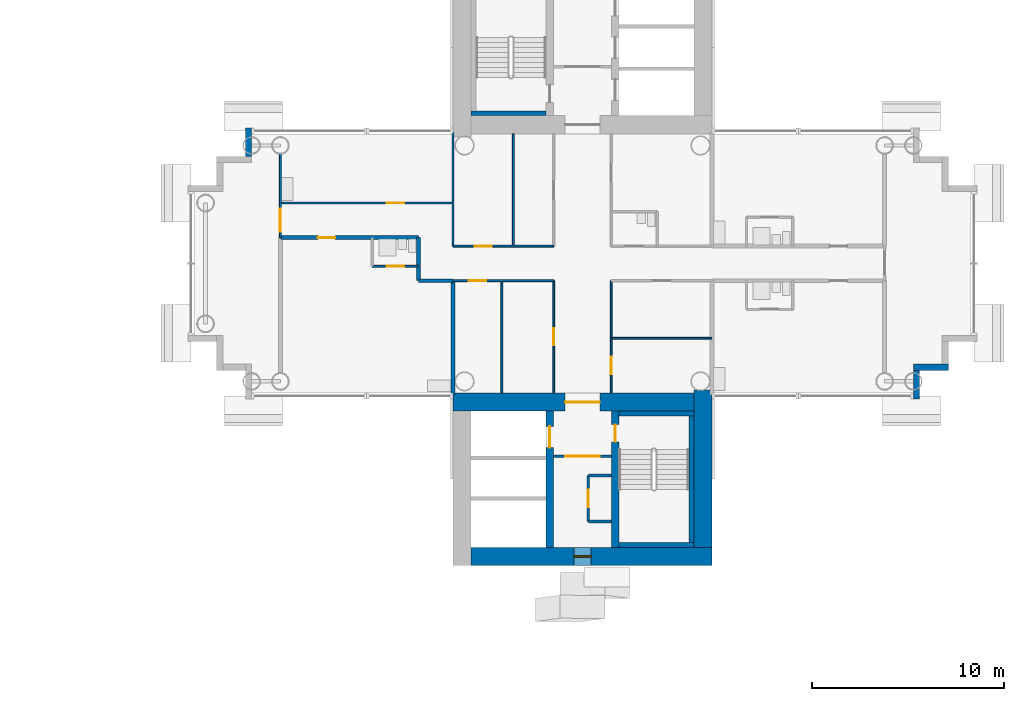
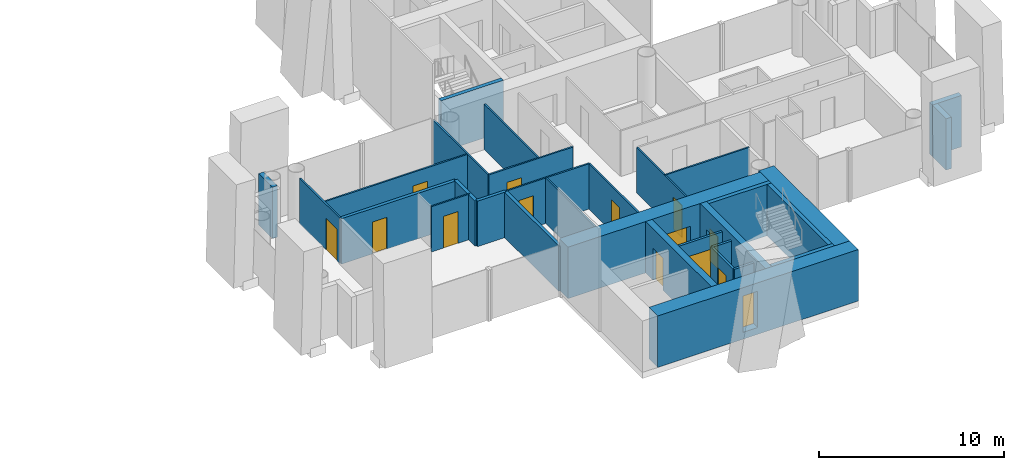
# One storey, part 12 of 21: 31 walls, 13 doors, 1 window, 14 openings.
"""IFC4 building model written with IfcOpenShell, lengths in metres."""

import ifcopenshell
import ifcopenshell.guid

model = None  # the IFC model being written
_history = None  # IfcOwnerHistory: only IFC2X3 demands one
_inside = {}  # id of a spatial element -> (the spatial element, [elements in it])
_under = {}  # id of a project, library or spatial element -> (it, [spatial elements below it])
_declared = {}  # id of a project -> (the project, [libraries it declares])
_typed = {}  # id of a type object -> (the type object, [elements of that type])
_made_of = {}  # id of a material, layer set ... -> (it, [elements and type objects made of it])


def new_model(schema):
    """Start an empty IFC model of exactly this schema.

    Asked for "IFC4X3", IfcOpenShell would pick the latest addendum, in which some entities
    have other attributes; the version numbers below select the first issue.
    IFC2X3 requires an IfcOwnerHistory on every rooted entity: one is made here for all.
    """
    global model, _history
    if schema == "IFC4X3":
        model = ifcopenshell.file(schema_version=(4, 3, 0, 0))
    else:
        model = ifcopenshell.file(schema=schema)
    _inside.clear()
    _under.clear()
    _declared.clear()
    _typed.clear()
    _made_of.clear()
    _history = None
    if model.schema == "IFC2X3":
        org = make("IfcOrganization", Name="unknown")
        user = make(
            "IfcPersonAndOrganization",
            ThePerson=make("IfcPerson", FamilyName="unknown"),
            TheOrganization=org,
        )
        app = make(
            "IfcApplication",
            ApplicationDeveloper=org,
            Version="unknown",
            ApplicationFullName="unknown",
            ApplicationIdentifier="unknown",
        )
        _history = make(
            "IfcOwnerHistory",
            OwningUser=user,
            OwningApplication=app,
            ChangeAction="ADDED",
            CreationDate=0,
        )
    return model


def make(cls, **values):
    """One entity of the class cls with the attributes given. An attribute that is None is left unset."""
    return model.create_entity(
        cls, **{name: value for name, value in values.items() if value is not None}
    )


def rooted(cls, **values):
    """An entity with a GlobalId (a new one), such as an element, a storey or a relation."""
    return make(cls, GlobalId=ifcopenshell.guid.new(), OwnerHistory=_history, **values)


def si_unit(unit_type, name, prefix=None):
    """IfcSIUnit, for example si_unit("LENGTHUNIT", "METRE", prefix="MILLI")."""
    return make("IfcSIUnit", UnitType=unit_type, Prefix=prefix, Name=name)


def assignment(units):
    """IfcUnitAssignment: the units of a project."""
    return None if units is None else make("IfcUnitAssignment", Units=units)


def point(xyz):
    """IfcCartesianPoint."""
    return None if xyz is None else make("IfcCartesianPoint", Coordinates=xyz)


def direction(xyz):
    """IfcDirection."""
    return None if xyz is None else make("IfcDirection", DirectionRatios=xyz)


def frame(location, z_axis=None, x_axis=None):
    """IfcAxis2Placement3D, a coordinate frame: its origin and axes. An axis left out is left unset."""
    return make(
        "IfcAxis2Placement3D",
        Location=point(location),
        Axis=direction(z_axis),
        RefDirection=direction(x_axis),
    )


def frame_2d(location, x_axis=None):
    """IfcAxis2Placement2D, a coordinate frame in the plane: its origin and x axis."""
    return make(
        "IfcAxis2Placement2D", Location=point(location), RefDirection=direction(x_axis)
    )


def origin():
    """The frame at (0, 0, 0) with its axes left unset."""
    return frame((0.0, 0.0, 0.0))


def place(relative_to, where):
    """IfcLocalPlacement: puts the frame where relative to a parent placement (None: the world)."""
    return make(
        "IfcLocalPlacement", PlacementRelTo=relative_to, RelativePlacement=where
    )


def context(
    kind, dimensions, precision=None, world=None, true_north=None, identifier=None
):
    """IfcGeometricRepresentationContext, for example the 3D "Model" context."""
    return make(
        "IfcGeometricRepresentationContext",
        ContextIdentifier=identifier,
        ContextType=kind,
        CoordinateSpaceDimension=dimensions,
        Precision=precision,
        WorldCoordinateSystem=world,
        TrueNorth=true_north,
    )


def subcontext(parent, identifier, kind, view, scale=None):
    """IfcGeometricRepresentationSubContext, for example "Body" below "Model"."""
    return make(
        "IfcGeometricRepresentationSubContext",
        ContextIdentifier=identifier,
        ContextType=kind,
        ParentContext=parent,
        TargetScale=scale,
        TargetView=view,
    )


def project(units=None, contexts=None):
    """IfcProject with its units and contexts."""
    return rooted(
        "IfcProject",
        Name="project",
        RepresentationContexts=contexts,
        UnitsInContext=assignment(units),
    )


def spatial(cls, under=None, at=None, **own):
    """A site, building, storey or space (cls), placed at a placement, below another one or the project."""
    s = rooted(cls, ObjectPlacement=at, **own)
    if under is not None:
        _under.setdefault(under.id(), (under, []))[1].append(s)
    return s


def profile(cls, at=None, kind="AREA", **sizes):
    """A parametric profile (cls). Its sizes go by their IFC names, for example OverallWidth=200.0."""
    return make(cls, ProfileType=kind, Position=at, **sizes)


def rectangle(**sizes):
    """IfcRectangleProfileDef."""
    return profile("IfcRectangleProfileDef", **sizes)


def extrude(swept, where, along, depth):
    """IfcExtrudedAreaSolid: the profile swept, set in the frame where, extruded along a direction by depth."""
    return make(
        "IfcExtrudedAreaSolid",
        SweptArea=swept,
        Position=where,
        ExtrudedDirection=direction(along),
        Depth=depth,
    )


def shape(context_of_items, identifier, shape_type, items):
    """IfcShapeRepresentation: the items that make up one representation, for example the "Body"."""
    return make(
        "IfcShapeRepresentation",
        ContextOfItems=context_of_items,
        RepresentationIdentifier=identifier,
        RepresentationType=shape_type,
        Items=items,
    )


def material(Name=None, Category=None):
    """IfcMaterial."""
    return make("IfcMaterial", Name=Name, Category=Category)


def layer(
    of_material, thickness, ventilated=None, Name=None, Category=None, Priority=None
):
    """IfcMaterialLayer: one layer of a wall or slab, of a material (None: an air gap)."""
    return make(
        "IfcMaterialLayer",
        Material=of_material,
        LayerThickness=thickness,
        IsVentilated=ventilated,
        Name=Name,
        Category=Category,
        Priority=Priority,
    )


def layer_set(layers, Name=None):
    """IfcMaterialLayerSet."""
    return make("IfcMaterialLayerSet", MaterialLayers=layers, LayerSetName=Name)


def made_of(thing, what):
    """Note that an element or type object is made of a material, layer set ...; save() writes the relation."""
    if what is not None:
        _made_of.setdefault(what.id(), (what, []))[1].append(thing)
    return thing


def type_object(cls, material=None, **own):
    """A type object (cls), such as IfcWallType, which elements share."""
    return made_of(rooted(cls, **own), material)


def element(
    cls,
    number,
    at=None,
    inside=None,
    cuts=None,
    type_object=None,
    material=None,
    context=None,
    identifier="Body",
    shape_type=None,
    held_by="IfcProductDefinitionShape",
    body=None,
    shapes=None,
    **own,
):
    """One element of the class cls, such as IfcWall. Its Tag is "e" and its number.

    at: its placement. inside: the storey or other place that contains it. cuts: it is an
    opening in that element (IfcRelVoidsElement). A single representation is given by context,
    identifier, shape_type and body (its items); several are given by shapes. held_by: the class
    of the entity that holds the representations. save() writes the other relations.
    """
    e = rooted(cls, Tag="e%d" % number, ObjectPlacement=at, **own)
    if body is not None:
        shapes = [shape(context, identifier, shape_type, body)]
    if shapes is not None:
        e.Representation = make(held_by, Representations=shapes)
    if inside is not None:
        _inside.setdefault(inside.id(), (inside, []))[1].append(e)
    if cuts is not None:
        rooted(
            "IfcRelVoidsElement", RelatingBuildingElement=cuts, RelatedOpeningElement=e
        )
    if type_object is not None:
        _typed.setdefault(type_object.id(), (type_object, []))[1].append(e)
    return made_of(e, material)


def fill(opening, filler):
    """IfcRelFillsElement: the door or window that sits in an opening."""
    return rooted(
        "IfcRelFillsElement",
        RelatingOpeningElement=opening,
        RelatedBuildingElement=filler,
    )


def aggregate(whole, parts):
    """IfcRelAggregates: a whole, such as a stair, and the parts it consists of."""
    return rooted("IfcRelAggregates", RelatingObject=whole, RelatedObjects=parts)


def save(model, path):
    """Write the relations noted so far, then the file.

    IfcRelAggregates (storeys below a building ...), IfcRelContainedInSpatialStructure (elements
    in a storey), IfcRelDefinesByType, IfcRelAssociatesMaterial and IfcRelDeclares: one each for
    every whole, place, type object, material and project.
    """
    for whole, parts in _under.values():
        aggregate(whole, parts)
    for where, things in _inside.values():
        rooted(
            "IfcRelContainedInSpatialStructure",
            RelatedElements=things,
            RelatingStructure=where,
        )
    for kind, things in _typed.values():
        rooted("IfcRelDefinesByType", RelatedObjects=things, RelatingType=kind)
    for what, things in _made_of.values():
        rooted("IfcRelAssociatesMaterial", RelatedObjects=things, RelatingMaterial=what)
    for by, libraries in _declared.values():
        rooted("IfcRelDeclares", RelatingContext=by, RelatedDefinitions=libraries)
    model.write(path)


model = new_model("IFC4")

# Units and contexts
model_context = context("Model", 3, precision=1e-05, world=origin(), true_north=direction((0.0, 1.0)))
body_context = subcontext(model_context, "Body", "Model", "MODEL_VIEW")
ifc_project = project(units=[si_unit("LENGTHUNIT", "METRE"), si_unit("AREAUNIT", "SQUARE_METRE"), si_unit("VOLUMEUNIT", "CUBIC_METRE"), si_unit("PLANEANGLEUNIT", "RADIAN"), si_unit("MASSUNIT", "GRAM", prefix="KILO")], contexts=[model_context])

# Site, building, storey
site_placement = place(None, origin())
site = spatial("IfcSite", under=ifc_project, at=site_placement, CompositionType="ELEMENT")
building_placement = place(site_placement, origin())
building = spatial("IfcBuilding", under=site, at=building_placement, Name="Ipe Terrace Towers", CompositionType="ELEMENT")
storey_placement = place(building_placement, frame((0.0, 0.0, 93.60009765625)))
storey = spatial("IfcBuildingStorey", under=building, at=storey_placement, Name="L25", CompositionType="ELEMENT", Elevation=93.60009765625)

# Walls
ifc_material_1 = material(Name="Concrete C40/50 with buff precast cladding", Category="concrete")
ifc_layer_1 = layer(ifc_material_1, 0.320068359375)
ifc_layer_set_1 = layer_set([ifc_layer_1], Name="BUFF CLADDING WALL 320")
wall_type_1 = type_object("IfcWallType", Name="BUFF CLADDING WALL 320", PredefinedType="STANDARD", material=ifc_layer_set_1)
wall_1_placement = place(storey_placement, frame((53.409912109375, -7.070068359375, -0.300048828125), z_axis=(0.0, 0.0, 1.0), x_axis=(0.0, 1.0, 0.0)))
element("IfcWall", 1, at=wall_1_placement, inside=storey, type_object=wall_type_1, Name="T2-W-L25-04a wall", PredefinedType="STANDARD", context=body_context, shape_type="SweptSolid", body=[
    extrude(rectangle(XDim=1.5, YDim=0.320068359375, at=frame_2d((0.75, 0.0))), origin(), (0.0, 0.0, 1.0), 3.39990234375),
])
wall_2_placement = place(storey_placement, frame((53.25, -5.409912109375, -0.300048828125), z_axis=(0.0, 0.0, 1.0), x_axis=(1.0, 0.0, 0.0)))
element("IfcWall", 2, at=wall_2_placement, inside=storey, type_object=wall_type_1, Name="T2-W-L25-05a wall", PredefinedType="STANDARD", context=body_context, shape_type="SweptSolid", body=[
    extrude(rectangle(XDim=1.820068359375, YDim=0.320068359375, at=frame_2d((0.91015625, 0.0))), origin(), (0.0, 0.0, 1.0), 3.39990234375),
])
wall_3_placement = place(storey_placement, frame((18.590087890625, 7.070068359375, -0.300048828125), z_axis=(0.0, 0.0, 1.0), x_axis=(0.0, -1.0, 0.0)))
element("IfcWall", 3, at=wall_3_placement, inside=storey, type_object=wall_type_1, Name="T2-W-L25-30a wall", PredefinedType="STANDARD", context=body_context, shape_type="SweptSolid", body=[
    extrude(rectangle(XDim=1.5, YDim=0.320068359375, at=frame_2d((0.75, 0.0))), origin(), (0.0, 0.0, 1.0), 3.39990234375),
])
ifc_material_2 = material(Name="Gypsum board partition", Category="plasterboard")
ifc_layer_2 = layer(ifc_material_2, 0.10009765625)
ifc_layer_set_2 = layer_set([ifc_layer_2], Name="Gypsum board partition 100 mm")
wall_type_2 = type_object("IfcWallType", Name="Gypsum board partition 100 mm", PredefinedType="PARTITIONING", material=ifc_layer_set_2)
wall_4_placement = place(storey_placement, frame((42.75, -3.89990234375, 0.0), z_axis=(0.0, 0.0, 1.0), x_axis=(-1.0, 0.0, 0.0)))
element("IfcWall", 4, at=wall_4_placement, inside=storey, type_object=wall_type_2, Name="Gypsum board partition T2 L25 W01", PredefinedType="PARTITIONING", context=body_context, shape_type="SweptSolid", body=[
    extrude(rectangle(XDim=5.25, YDim=0.10009765625, at=frame_2d((2.625, 0.0))), origin(), (0.0, 0.0, 1.0), 3.0),
])

# Wall, opening, door
wall_5_placement = place(storey_placement, frame((34.5, -0.89990234375, 0.0), z_axis=(0.0, 0.0, 1.0), x_axis=(-1.0, 0.0, 0.0)))
wall_5 = element("IfcWall", 5, at=wall_5_placement, inside=storey, type_object=wall_type_2, Name="Gypsum board partition T2 L25 W04", PredefinedType="PARTITIONING", context=body_context, shape_type="SweptSolid", body=[
    extrude(rectangle(XDim=5.25, YDim=0.10009765625, at=frame_2d((2.625, 0.0))), origin(), (0.0, 0.0, 1.0), 3.0),
])
opening_1_placement = place(wall_5_placement, frame((3.52490234375, 0.0, 0.0)))
opening_1 = element("IfcOpeningElement", 6, at=opening_1_placement, cuts=wall_5, Name="Opening T2-Z2C-05", PredefinedType="OPENING", context=body_context, shape_type="SweptSolid", body=[
    extrude(rectangle(XDim=0.89990234375, YDim=2.10009765625, at=frame_2d((0.449951171875, 1.050048828125))), frame((0.0, 0.06005859375, 0.0), z_axis=(0.0, -1.0, 0.0), x_axis=(1.0, 0.0, 0.0)), (0.0, 0.0, 1.0), 0.1201171875),
])
ifc_material_3 = material(Name="Timber door leaf", Category="wood")
door_type_1 = type_object("IfcDoorType", Name="Lounge door 900 x 2100", OperationType="NOTDEFINED", PredefinedType="DOOR", material=ifc_material_3)
door_1_placement = place(opening_1_placement, origin())
door_1 = element("IfcDoor", 7, at=door_1_placement, inside=storey, type_object=door_type_1, Name="Lounge door T2-Z2C-05", OperationType="SINGLE_SWING_LEFT", OverallHeight=2.10009765625, OverallWidth=0.89990234375, PredefinedType="DOOR", context=body_context, shape_type="SweptSolid", body=[
    extrude(rectangle(XDim=0.89990234375, YDim=2.10009765625, at=frame_2d((0.449951171875, 1.050048828125))), frame((0.0, 0.02490234375, 0.0), z_axis=(0.0, -1.0, 0.0), x_axis=(1.0, 0.0, 0.0)), (0.0, 0.0, 1.0), 0.050048828125),
])
fill(opening_1, door_1)

wall_6_placement = place(storey_placement, frame((27.449951171875, -0.14990234375, 0.0), z_axis=(0.0, 0.0, 1.0), x_axis=(-1.0, 0.0, 0.0)))
wall_6 = element("IfcWall", 8, at=wall_6_placement, inside=storey, type_object=wall_type_2, Name="Gypsum board partition T2 L25 W07", PredefinedType="PARTITIONING", context=body_context, shape_type="SweptSolid", body=[
    extrude(rectangle(XDim=2.39990234375, YDim=0.10009765625, at=frame_2d((1.199951171875, 0.0))), origin(), (0.0, 0.0, 1.0), 3.0),
])
opening_2_placement = place(wall_6_placement, frame((0.75, 0.0, 0.0)))
opening_2 = element("IfcOpeningElement", 9, at=opening_2_placement, cuts=wall_6, Name="Opening T2-Z2C-10", PredefinedType="OPENING", context=body_context, shape_type="SweptSolid", body=[
    extrude(rectangle(XDim=0.89990234375, YDim=2.10009765625, at=frame_2d((0.449951171875, 1.050048828125))), frame((0.0, 0.06005859375, 0.0), z_axis=(0.0, -1.0, 0.0), x_axis=(1.0, 0.0, 0.0)), (0.0, 0.0, 1.0), 0.1201171875),
])
ifc_material_4 = material(Name="Timber door leaf", Category="wood")
door_type_2 = type_object("IfcDoorType", Name="Bathroom door 900 x 2100", OperationType="NOTDEFINED", PredefinedType="DOOR", material=ifc_material_4)
door_2_placement = place(opening_2_placement, origin())
door_2 = element("IfcDoor", 10, at=door_2_placement, inside=storey, type_object=door_type_2, Name="Bathroom door T2-Z2C-10", OperationType="SINGLE_SWING_RIGHT", OverallHeight=2.10009765625, OverallWidth=0.89990234375, PredefinedType="DOOR", context=body_context, shape_type="SweptSolid", body=[
    extrude(rectangle(XDim=0.89990234375, YDim=2.10009765625, at=frame_2d((0.449951171875, 1.050048828125))), frame((0.0, 0.02490234375, 0.0), z_axis=(0.0, -1.0, 0.0), x_axis=(1.0, 0.0, 0.0)), (0.0, 0.0, 1.0), 0.050048828125),
])
fill(opening_2, door_2)

wall_7_placement = place(storey_placement, frame((34.5, 0.89990234375, 0.0), z_axis=(0.0, 0.0, 1.0), x_axis=(-1.0, 0.0, 0.0)))
wall_7 = element("IfcWall", 11, at=wall_7_placement, inside=storey, type_object=wall_type_2, Name="Gypsum board partition T2 L25 W09", PredefinedType="PARTITIONING", context=body_context, shape_type="SweptSolid", body=[
    extrude(rectangle(XDim=5.25, YDim=0.10009765625, at=frame_2d((2.625, 0.0))), origin(), (0.0, 0.0, 1.0), 3.0),
])
opening_3_placement = place(wall_7_placement, frame((3.22509765625, 0.0, 0.0)))
opening_3 = element("IfcOpeningElement", 12, at=opening_3_placement, cuts=wall_7, Name="Opening T2-Z2C-03", PredefinedType="OPENING", context=body_context, shape_type="SweptSolid", body=[
    extrude(rectangle(XDim=0.89990234375, YDim=2.10009765625, at=frame_2d((0.449951171875, 1.050048828125))), frame((0.0, 0.06005859375, 0.0), z_axis=(0.0, -1.0, 0.0), x_axis=(1.0, 0.0, 0.0)), (0.0, 0.0, 1.0), 0.1201171875),
])
door_3_placement = place(opening_3_placement, origin())
door_3 = element("IfcDoor", 13, at=door_3_placement, inside=storey, type_object=door_type_1, Name="Lounge door T2-Z2C-03", OperationType="SINGLE_SWING_RIGHT", OverallHeight=2.10009765625, OverallWidth=0.89990234375, PredefinedType="DOOR", context=body_context, shape_type="SweptSolid", body=[
    extrude(rectangle(XDim=0.89990234375, YDim=2.10009765625, at=frame_2d((0.449951171875, 1.050048828125))), frame((0.0, 0.02490234375, 0.0), z_axis=(0.0, -1.0, 0.0), x_axis=(1.0, 0.0, 0.0)), (0.0, 0.0, 1.0), 0.050048828125),
])
fill(opening_3, door_3)

wall_8_placement = place(storey_placement, frame((29.25, 3.14990234375, 0.0), z_axis=(0.0, 0.0, 1.0), x_axis=(-1.0, 0.0, 0.0)))
wall_8 = element("IfcWall", 14, at=wall_8_placement, inside=storey, type_object=wall_type_2, Name="Gypsum board partition T2 L25 W14", PredefinedType="PARTITIONING", context=body_context, shape_type="SweptSolid", body=[
    extrude(rectangle(XDim=9.0, YDim=0.10009765625, at=frame_2d((4.5, 0.0))), origin(), (0.0, 0.0, 1.0), 3.0),
])
opening_4_placement = place(wall_8_placement, frame((2.550048828125, 0.0, 0.0)))
opening_4 = element("IfcOpeningElement", 15, at=opening_4_placement, cuts=wall_8, Name="Opening T2-Z2C-11", PredefinedType="OPENING", context=body_context, shape_type="SweptSolid", body=[
    extrude(rectangle(XDim=0.89990234375, YDim=2.10009765625, at=frame_2d((0.449951171875, 1.050048828125))), frame((0.0, 0.06005859375, 0.0), z_axis=(0.0, -1.0, 0.0), x_axis=(1.0, 0.0, 0.0)), (0.0, 0.0, 1.0), 0.1201171875),
])
door_4_placement = place(opening_4_placement, origin())
door_4 = element("IfcDoor", 16, at=door_4_placement, inside=storey, type_object=door_type_1, Name="Lounge door T2-Z2C-11", OperationType="SINGLE_SWING_LEFT", OverallHeight=2.10009765625, OverallWidth=0.89990234375, PredefinedType="DOOR", context=body_context, shape_type="SweptSolid", body=[
    extrude(rectangle(XDim=0.89990234375, YDim=2.10009765625, at=frame_2d((0.449951171875, 1.050048828125))), frame((0.0, 0.02490234375, 0.0), z_axis=(0.0, -1.0, 0.0), x_axis=(1.0, 0.0, 0.0)), (0.0, 0.0, 1.0), 0.050048828125),
])
fill(opening_4, door_4)

wall_9_placement = place(storey_placement, frame((37.5, -6.75, 0.0), z_axis=(0.0, 0.0, 1.0), x_axis=(0.0, 1.0, 0.0)))
wall_9 = element("IfcWall", 17, at=wall_9_placement, inside=storey, type_object=wall_type_2, Name="Gypsum board partition T2 L25 W30", PredefinedType="PARTITIONING", context=body_context, shape_type="SweptSolid", body=[
    extrude(rectangle(XDim=5.85009765625, YDim=0.10009765625, at=frame_2d((2.925048828125, 0.0))), origin(), (0.0, 0.0, 1.0), 3.0),
])
opening_5_placement = place(wall_9_placement, frame((0.97509765625, 0.0, 0.0)))
opening_5 = element("IfcOpeningElement", 18, at=opening_5_placement, cuts=wall_9, Name="Opening T2-Z2C-07", PredefinedType="OPENING", context=body_context, shape_type="SweptSolid", body=[
    extrude(rectangle(XDim=0.89990234375, YDim=2.10009765625, at=frame_2d((0.449951171875, 1.050048828125))), frame((0.0, 0.06005859375, 0.0), z_axis=(0.0, -1.0, 0.0), x_axis=(1.0, 0.0, 0.0)), (0.0, 0.0, 1.0), 0.1201171875),
])
door_5_placement = place(opening_5_placement, origin())
door_5 = element("IfcDoor", 19, at=door_5_placement, inside=storey, type_object=door_type_1, Name="Lounge door T2-Z2C-07", OperationType="SINGLE_SWING_LEFT", OverallHeight=2.10009765625, OverallWidth=0.89990234375, PredefinedType="DOOR", context=body_context, shape_type="SweptSolid", body=[
    extrude(rectangle(XDim=0.89990234375, YDim=2.10009765625, at=frame_2d((0.449951171875, 1.050048828125))), frame((0.0, 0.02490234375, 0.0), z_axis=(0.0, -1.0, 0.0), x_axis=(1.0, 0.0, 0.0)), (0.0, 0.0, 1.0), 0.050048828125),
])
fill(opening_5, door_5)

wall_10_placement = place(storey_placement, frame((34.5, -6.75, 0.0), z_axis=(0.0, 0.0, 1.0), x_axis=(0.0, 1.0, 0.0)))
wall_10 = element("IfcWall", 20, at=wall_10_placement, inside=storey, type_object=wall_type_2, Name="Gypsum board partition T2 L25 W34", PredefinedType="PARTITIONING", context=body_context, shape_type="SweptSolid", body=[
    extrude(rectangle(XDim=5.85009765625, YDim=0.10009765625, at=frame_2d((2.925048828125, 0.0))), origin(), (0.0, 0.0, 1.0), 3.0),
])
opening_6_placement = place(wall_10_placement, frame((2.47509765625, 0.0, 0.0)))
opening_6 = element("IfcOpeningElement", 21, at=opening_6_placement, cuts=wall_10, Name="Opening T2-Z2C-04", PredefinedType="OPENING", context=body_context, shape_type="SweptSolid", body=[
    extrude(rectangle(XDim=0.89990234375, YDim=2.10009765625, at=frame_2d((0.449951171875, 1.050048828125))), frame((0.0, 0.06005859375, 0.0), z_axis=(0.0, -1.0, 0.0), x_axis=(1.0, 0.0, 0.0)), (0.0, 0.0, 1.0), 0.1201171875),
])
door_6_placement = place(opening_6_placement, origin())
door_6 = element("IfcDoor", 22, at=door_6_placement, inside=storey, type_object=door_type_1, Name="Lounge door T2-Z2C-04", OperationType="SINGLE_SWING_RIGHT", OverallHeight=2.10009765625, OverallWidth=0.89990234375, PredefinedType="DOOR", context=body_context, shape_type="SweptSolid", body=[
    extrude(rectangle(XDim=0.89990234375, YDim=2.10009765625, at=frame_2d((0.449951171875, 1.050048828125))), frame((0.0, 0.02490234375, 0.0), z_axis=(0.0, -1.0, 0.0), x_axis=(1.0, 0.0, 0.0)), (0.0, 0.0, 1.0), 0.050048828125),
])
fill(opening_6, door_6)

# Walls
for number, where, z_axis, x_axis, name in (
    (23, (32.39990234375, 0.89990234375, 0.0), (0.0, 0.0, 1.0), (0.0, 1.0, 0.0), "Gypsum board partition T2 L25 W38"),
    (24, (31.800048828125, -6.75, 0.0), (0.0, 0.0, 1.0), (0.0, 1.0, 0.0), "Gypsum board partition T2 L25 W39"),
):
    element("IfcWall", number, at=place(storey_placement, frame(where, z_axis=z_axis, x_axis=x_axis)), inside=storey, type_object=wall_type_2, Name=name, PredefinedType="PARTITIONING", context=body_context, shape_type="SweptSolid", body=[
        extrude(rectangle(XDim=5.85009765625, YDim=0.10009765625, at=frame_2d((2.925048828125, 0.0))), origin(), (0.0, 0.0, 1.0), 3.0),
    ])
wall_11_placement = place(storey_placement, frame((29.25, 0.89990234375, 0.0), z_axis=(0.0, 0.0, 1.0), x_axis=(0.0, 1.0, 0.0)))
element("IfcWall", 25, at=wall_11_placement, inside=storey, type_object=wall_type_2, Name="Gypsum board partition T2 L25 W40", PredefinedType="PARTITIONING", context=body_context, shape_type="SweptSolid", body=[
    extrude(rectangle(XDim=5.9501953125, YDim=0.10009765625, at=frame_2d((2.97509765625, 0.0))), origin(), (0.0, 0.0, 1.0), 3.0),
])

# Wall, opening, door
wall_12_placement = place(storey_placement, frame((20.25, 1.35009765625, 0.0), z_axis=(0.0, 0.0, 1.0), x_axis=(0.0, 1.0, 0.0)))
wall_12 = element("IfcWall", 26, at=wall_12_placement, inside=storey, type_object=wall_type_2, Name="Gypsum board partition T2 L25 W44", PredefinedType="PARTITIONING", context=body_context, shape_type="SweptSolid", body=[
    extrude(rectangle(XDim=4.349853515625, YDim=0.10009765625, at=frame_2d((2.1748046875, 0.0))), origin(), (0.0, 0.0, 1.0), 3.0),
])
opening_7_placement = place(wall_12_placement, frame((0.300048828125, 0.0, 0.0)))
opening_7 = element("IfcOpeningElement", 27, at=opening_7_placement, cuts=wall_12, Name="Opening T2-Z2C-12", PredefinedType="OPENING", context=body_context, shape_type="SweptSolid", body=[
    extrude(rectangle(XDim=1.199951171875, YDim=2.10009765625, at=frame_2d((0.60009765625, 1.050048828125))), frame((0.0, 0.06005859375, 0.0), z_axis=(0.0, -1.0, 0.0), x_axis=(1.0, 0.0, 0.0)), (0.0, 0.0, 1.0), 0.1201171875),
])
ifc_material_5 = material(Name="Timber door leaf", Category="wood")
door_type_3 = type_object("IfcDoorType", Name="Lounge door 1200 x 2100", OperationType="NOTDEFINED", PredefinedType="DOOR", material=ifc_material_5)
door_7_placement = place(opening_7_placement, origin())
door_7 = element("IfcDoor", 28, at=door_7_placement, inside=storey, type_object=door_type_3, Name="Lounge door T2-Z2C-12", OperationType="SINGLE_SWING_RIGHT", OverallHeight=2.10009765625, OverallWidth=1.199951171875, PredefinedType="DOOR", context=body_context, shape_type="SweptSolid", body=[
    extrude(rectangle(XDim=1.199951171875, YDim=2.10009765625, at=frame_2d((0.60009765625, 1.050048828125))), frame((0.0, 0.02490234375, 0.0), z_axis=(0.0, -1.0, 0.0), x_axis=(1.0, 0.0, 0.0)), (0.0, 0.0, 1.0), 0.050048828125),
])
fill(opening_7, door_7)

ifc_material_6 = material(Name="Gypsum board partition", Category="plasterboard")
ifc_layer_3 = layer(ifc_material_6, 0.14990234375)
ifc_layer_set_3 = layer_set([ifc_layer_3], Name="Gypsum board partition 150 mm")
wall_type_3 = type_object("IfcWallType", Name="Gypsum board partition 150 mm", PredefinedType="PARTITIONING", material=ifc_layer_set_3)
wall_13_placement = place(storey_placement, frame((34.5, -10.050048828125, 0.0), z_axis=(0.0, 0.0, 1.0), x_axis=(1.0, 0.0, 0.0)))
wall_13 = element("IfcWall", 29, at=wall_13_placement, inside=storey, type_object=wall_type_3, Name="Gypsum board partition T2 L25 t2c2-lobby-wall", PredefinedType="PARTITIONING", context=body_context, shape_type="SweptSolid", body=[
    extrude(rectangle(XDim=3.0, YDim=0.14990234375, at=frame_2d((1.5, 0.0))), origin(), (0.0, 0.0, 1.0), 3.0),
])
opening_8_placement = place(wall_13_placement, frame((0.60009765625, 0.0, 0.0)))
opening_8 = element("IfcOpeningElement", 30, at=opening_8_placement, cuts=wall_13, Name="Opening T2C2-VD", PredefinedType="OPENING", context=body_context, shape_type="SweptSolid", body=[
    extrude(rectangle(XDim=1.800048828125, YDim=2.10009765625, at=frame_2d((0.89990234375, 1.050048828125))), frame((0.0, 0.0849609375, 0.0), z_axis=(0.0, -1.0, 0.0), x_axis=(1.0, 0.0, 0.0)), (0.0, 0.0, 1.0), 0.169921875),
])
ifc_material_7 = material(Name="Fire-rated timber door leaf", Category="wood")
door_type_4 = type_object("IfcDoorType", Name="Lobby door 1800 x 2100 FD60", OperationType="NOTDEFINED", PredefinedType="DOOR", material=ifc_material_7)
door_8_placement = place(opening_8_placement, origin())
door_8 = element("IfcDoor", 31, at=door_8_placement, inside=storey, type_object=door_type_4, Name="Lobby door T2C2-VD", OperationType="SINGLE_SWING_LEFT", OverallHeight=2.10009765625, OverallWidth=1.800048828125, PredefinedType="DOOR", context=body_context, shape_type="SweptSolid", body=[
    extrude(rectangle(XDim=1.800048828125, YDim=2.10009765625, at=frame_2d((0.89990234375, 1.050048828125))), frame((0.0, 0.02490234375, 0.0), z_axis=(0.0, -1.0, 0.0), x_axis=(1.0, 0.0, 0.0)), (0.0, 0.0, 1.0), 0.050048828125),
])
fill(opening_8, door_8)

wall_14_placement = place(storey_placement, frame((36.300048828125, -11.050048828125, 0.0), z_axis=(0.0, 0.0, 1.0), x_axis=(0.0, -1.0, 0.0)))
wall_14 = element("IfcWall", 32, at=wall_14_placement, inside=storey, type_object=wall_type_3, Name="Gypsum board partition T2 L25 t2c2-cup-n-f", PredefinedType="PARTITIONING", context=body_context, shape_type="SweptSolid", body=[
    extrude(rectangle(XDim=2.39990234375, YDim=0.14990234375, at=frame_2d((1.199951171875, 0.0))), origin(), (0.0, 0.0, 1.0), 3.0),
])
opening_9_placement = place(wall_14_placement, frame((0.75, 0.0, 0.0)))
opening_9 = element("IfcOpeningElement", 33, at=opening_9_placement, cuts=wall_14, Name="Opening T2C2-SR", PredefinedType="OPENING", context=body_context, shape_type="SweptSolid", body=[
    extrude(rectangle(XDim=0.89990234375, YDim=2.10009765625, at=frame_2d((0.449951171875, 1.050048828125))), frame((0.0, 0.0849609375, 0.0), z_axis=(0.0, -1.0, 0.0), x_axis=(1.0, 0.0, 0.0)), (0.0, 0.0, 1.0), 0.169921875),
])
ifc_material_8 = material(Name="Fire-rated timber door leaf", Category="wood")
door_type_5 = type_object("IfcDoorType", Name="Service door 900 x 2100 FD60", OperationType="NOTDEFINED", PredefinedType="DOOR", material=ifc_material_8)
door_9_placement = place(opening_9_placement, origin())
door_9 = element("IfcDoor", 34, at=door_9_placement, inside=storey, type_object=door_type_5, Name="Service door T2C2-SR", OperationType="SINGLE_SWING_LEFT", OverallHeight=2.10009765625, OverallWidth=0.89990234375, PredefinedType="DOOR", context=body_context, shape_type="SweptSolid", body=[
    extrude(rectangle(XDim=0.89990234375, YDim=2.10009765625, at=frame_2d((0.449951171875, 1.050048828125))), frame((0.0, 0.02490234375, 0.0), z_axis=(0.0, -1.0, 0.0), x_axis=(1.0, 0.0, 0.0)), (0.0, 0.0, 1.0), 0.050048828125),
])
fill(opening_9, door_9)

# Walls
for number, where, z_axis, x_axis, name in (
    (35, (36.300048828125, -11.050048828125, 0.0), (0.0, 0.0, 1.0), (1.0, 0.0, 0.0), "Gypsum board partition T2 L25 t2c2-cup-n-a"),
    (36, (36.300048828125, -13.449951171875, 0.0), (0.0, 0.0, 1.0), (1.0, 0.0, 0.0), "Gypsum board partition T2 L25 t2c2-cup-n-b"),
):
    element("IfcWall", number, at=place(storey_placement, frame(where, z_axis=z_axis, x_axis=x_axis)), inside=storey, type_object=wall_type_3, Name=name, PredefinedType="PARTITIONING", context=body_context, shape_type="SweptSolid", body=[
        extrude(rectangle(XDim=1.199951171875, YDim=0.14990234375, at=frame_2d((0.60009765625, 0.0))), origin(), (0.0, 0.0, 1.0), 3.0),
    ])
ifc_material_9 = material(Name="Gypsum board party wall", Category="plasterboard")
ifc_layer_4 = layer(ifc_material_9, 0.199951171875)
ifc_layer_set_4 = layer_set([ifc_layer_4], Name="Gypsum board party wall 200 mm")
wall_type_4 = type_object("IfcWallType", Name="Gypsum board party wall 200 mm", PredefinedType="SOLIDWALL", material=ifc_layer_set_4)
wall_15_placement = place(storey_placement, frame((29.25, -0.89990234375, 0.0), z_axis=(0.0, 0.0, 1.0), x_axis=(-1.0, 0.0, 0.0)))
element("IfcWall", 37, at=wall_15_placement, inside=storey, type_object=wall_type_4, Name="Gypsum board party wall T2 L25 W06", PredefinedType="SOLIDWALL", context=body_context, shape_type="SweptSolid", body=[
    extrude(rectangle(XDim=1.800048828125, YDim=0.199951171875, at=frame_2d((0.89990234375, 0.0))), origin(), (0.0, 0.0, 1.0), 3.0),
])

# Wall, opening, door
wall_16_placement = place(storey_placement, frame((27.449951171875, 1.35009765625, 0.0), z_axis=(0.0, 0.0, 1.0), x_axis=(-1.0, 0.0, 0.0)))
wall_16 = element("IfcWall", 38, at=wall_16_placement, inside=storey, type_object=wall_type_4, Name="Gypsum board party wall T2 L25 W11", PredefinedType="SOLIDWALL", context=body_context, shape_type="SweptSolid", body=[
    extrude(rectangle(XDim=7.199951171875, YDim=0.199951171875, at=frame_2d((3.60009765625, 0.0))), origin(), (0.0, 0.0, 1.0), 3.0),
])
opening_10_placement = place(wall_16_placement, frame((4.35009765625, 0.0, 0.0)))
opening_10 = element("IfcOpeningElement", 39, at=opening_10_placement, cuts=wall_16, Name="Opening T2-Z2C-09", PredefinedType="OPENING", context=body_context, shape_type="SweptSolid", body=[
    extrude(rectangle(XDim=0.89990234375, YDim=2.10009765625, at=frame_2d((0.449951171875, 1.050048828125))), frame((0.0, 0.10986328125, 0.0), z_axis=(0.0, -1.0, 0.0), x_axis=(1.0, 0.0, 0.0)), (0.0, 0.0, 1.0), 0.219970703125),
])
ifc_material_10 = material(Name="Fire-rated timber door leaf", Category="wood")
door_type_6 = type_object("IfcDoorType", Name="Flat entrance door 900 x 2100 FD30S", OperationType="NOTDEFINED", PredefinedType="DOOR", material=ifc_material_10)
door_10_placement = place(opening_10_placement, origin())
door_10 = element("IfcDoor", 40, at=door_10_placement, inside=storey, type_object=door_type_6, Name="Flat entrance door T2-Z2C-09", OperationType="SINGLE_SWING_LEFT", OverallHeight=2.10009765625, OverallWidth=0.89990234375, PredefinedType="DOOR", context=body_context, shape_type="SweptSolid", body=[
    extrude(rectangle(XDim=0.89990234375, YDim=2.10009765625, at=frame_2d((0.449951171875, 1.050048828125))), frame((0.0, 0.02490234375, 0.0), z_axis=(0.0, -1.0, 0.0), x_axis=(1.0, 0.0, 0.0)), (0.0, 0.0, 1.0), 0.050048828125),
])
fill(opening_10, door_10)

# Walls
wall_17_placement = place(storey_placement, frame((29.25, -6.85009765625, 0.0), z_axis=(0.0, 0.0, 1.0), x_axis=(0.0, 1.0, 0.0)))
element("IfcWall", 41, at=wall_17_placement, inside=storey, type_object=wall_type_4, Name="Gypsum board party wall T2 L25 W41", PredefinedType="SOLIDWALL", context=body_context, shape_type="SweptSolid", body=[
    extrude(rectangle(XDim=5.9501953125, YDim=0.199951171875, at=frame_2d((2.97509765625, 0.0))), origin(), (0.0, 0.0, 1.0), 3.0),
])
wall_18_placement = place(storey_placement, frame((27.449951171875, -0.89990234375, 0.0), z_axis=(0.0, 0.0, 1.0), x_axis=(0.0, 1.0, 0.0)))
element("IfcWall", 42, at=wall_18_placement, inside=storey, type_object=wall_type_4, Name="Gypsum board party wall T2 L25 W42", PredefinedType="SOLIDWALL", context=body_context, shape_type="SweptSolid", body=[
    extrude(rectangle(XDim=2.25, YDim=0.199951171875, at=frame_2d((1.125, 0.0))), origin(), (0.0, 0.0, 1.0), 3.0),
])
ifc_material_11 = material(Name="Concrete C50/60", Category="concrete")
ifc_layer_5 = layer(ifc_material_11, 0.25)
ifc_layer_set_5 = layer_set([ifc_layer_5], Name="RW250 CORE INFILL WALL 250 C50-60")
wall_type_5 = type_object("IfcWallType", Name="RW250 CORE INFILL WALL 250 C50-60", PredefinedType="SHEAR", material=ifc_layer_set_5)
for number, where, z_axis, x_axis, name in (
    (43, (34.10009765625, 7.824951171875, 0.0), (0.0, 0.0, 1.0), (-1.0, 0.0, 0.0), "Core infill wall T2-C1-near"),
    (44, (37.89990234375, -14.675048828125, 0.0), (0.0, 0.0, 1.0), (1.0, 0.0, 0.0), "Core infill wall T2-C2-far"),
):
    element("IfcWall", number, at=place(storey_placement, frame(where, z_axis=z_axis, x_axis=x_axis)), inside=storey, type_object=wall_type_5, Name=name, PredefinedType="SHEAR", context=body_context, shape_type="SweptSolid", body=[
        extrude(rectangle(XDim=3.900146484375, YDim=0.25, at=frame_2d((1.9501953125, 0.0))), origin(), (0.0, 0.0, 1.0), 3.39990234375),
    ])
wall_19_placement = place(storey_placement, frame((41.675048828125, -7.949951171875, 0.0), z_axis=(0.0, 0.0, 1.0), x_axis=(0.0, -1.0, 0.0)))
element("IfcWall", 45, at=wall_19_placement, inside=storey, type_object=wall_type_5, Name="Core infill wall T2-C2-back", PredefinedType="SHEAR", context=body_context, shape_type="SweptSolid", body=[
    extrude(rectangle(XDim=6.60009765625, YDim=0.25, at=frame_2d((3.300048828125, 0.0))), origin(), (0.0, 0.0, 1.0), 3.39990234375),
])
wall_20_placement = place(storey_placement, frame((37.89990234375, -7.824951171875, 0.0), z_axis=(0.0, 0.0, 1.0), x_axis=(1.0, 0.0, 0.0)))
element("IfcWall", 46, at=wall_20_placement, inside=storey, type_object=wall_type_5, Name="Core infill wall T2-C2-near", PredefinedType="SHEAR", context=body_context, shape_type="SweptSolid", body=[
    extrude(rectangle(XDim=3.900146484375, YDim=0.25, at=frame_2d((1.9501953125, 0.0))), origin(), (0.0, 0.0, 1.0), 3.39990234375),
])

# Wall, opening, door
ifc_material_12 = material(Name="Concrete C50/60", Category="concrete")
ifc_layer_6 = layer(ifc_material_12, 0.39990234375)
ifc_layer_set_6 = layer_set([ifc_layer_6], Name="RW400 CORE SPINE WALL 400 C50-60")
wall_type_6 = type_object("IfcWallType", Name="RW400 CORE SPINE WALL 400 C50-60", PredefinedType="SHEAR", material=ifc_layer_set_6)
wall_21_placement = place(storey_placement, frame((34.300048828125, -14.800048828125, 0.0), z_axis=(0.0, 0.0, 1.0), x_axis=(0.0, 1.0, 0.0)))
wall_21 = element("IfcWall", 47, at=wall_21_placement, inside=storey, type_object=wall_type_6, Name="Core spine wall T2-C2-Z2-SW1", PredefinedType="SHEAR", context=body_context, shape_type="SweptSolid", body=[
    extrude(rectangle(XDim=7.10009765625, YDim=0.39990234375, at=frame_2d((3.550048828125, 0.0))), origin(), (0.0, 0.0, 1.0), 3.39990234375),
])
opening_11_placement = place(wall_21_placement, frame((5.199951171875, 0.0, 0.0)))
opening_11 = element("IfcOpeningElement", 48, at=opening_11_placement, cuts=wall_21, Name="Opening T2C2-LD1", PredefinedType="OPENING", context=body_context, shape_type="SweptSolid", body=[
    extrude(rectangle(XDim=1.10009765625, YDim=2.10009765625, at=frame_2d((0.550048828125, 1.050048828125))), frame((0.0, 0.2099609375, 0.0), z_axis=(0.0, -1.0, 0.0), x_axis=(1.0, 0.0, 0.0)), (0.0, 0.0, 1.0), 0.419921875),
])
ifc_material_13 = material(Name="Fire-rated timber door leaf", Category="wood")
door_type_7 = type_object("IfcDoorType", Name="Sliding door 1100 x 2100 FD60", OperationType="SLIDING_TO_LEFT", PredefinedType="DOOR", material=ifc_material_13)
door_11_placement = place(opening_11_placement, origin())
door_11 = element("IfcDoor", 49, at=door_11_placement, inside=storey, type_object=door_type_7, Name="Sliding door T2C2-LD1", OperationType="SLIDING_TO_LEFT", OverallHeight=2.10009765625, OverallWidth=1.10009765625, PredefinedType="DOOR", context=body_context, shape_type="SweptSolid", body=[
    extrude(rectangle(XDim=1.10009765625, YDim=2.10009765625, at=frame_2d((0.550048828125, 1.050048828125))), frame((0.0, 0.02490234375, 0.0), z_axis=(0.0, -1.0, 0.0), x_axis=(1.0, 0.0, 0.0)), (0.0, 0.0, 1.0), 0.050048828125),
])
fill(opening_11, door_11)

wall_22_placement = place(storey_placement, frame((37.699951171875, -14.800048828125, 0.0), z_axis=(0.0, 0.0, 1.0), x_axis=(0.0, 1.0, 0.0)))
wall_22 = element("IfcWall", 50, at=wall_22_placement, inside=storey, type_object=wall_type_6, Name="Core spine wall T2-C2-Z2-SW2", PredefinedType="SHEAR", context=body_context, shape_type="SweptSolid", body=[
    extrude(rectangle(XDim=7.10009765625, YDim=0.39990234375, at=frame_2d((3.550048828125, 0.0))), origin(), (0.0, 0.0, 1.0), 3.39990234375),
])
opening_12_placement = place(wall_22_placement, frame((5.5, 0.0, 0.0)))
opening_12 = element("IfcOpeningElement", 51, at=opening_12_placement, cuts=wall_22, Name="Opening T2C2-SD", PredefinedType="OPENING", context=body_context, shape_type="SweptSolid", body=[
    extrude(rectangle(XDim=0.89990234375, YDim=2.10009765625, at=frame_2d((0.449951171875, 1.050048828125))), frame((0.0, 0.2099609375, 0.0), z_axis=(0.0, -1.0, 0.0), x_axis=(1.0, 0.0, 0.0)), (0.0, 0.0, 1.0), 0.419921875),
])
ifc_material_14 = material(Name="Fire-rated timber door leaf", Category="wood")
door_type_8 = type_object("IfcDoorType", Name="Stair door 900 x 2100 FD60", OperationType="NOTDEFINED", PredefinedType="DOOR", material=ifc_material_14)
door_12_placement = place(opening_12_placement, origin())
door_12 = element("IfcDoor", 52, at=door_12_placement, inside=storey, type_object=door_type_8, Name="Stair door T2C2-SD", OperationType="SINGLE_SWING_RIGHT", OverallHeight=2.10009765625, OverallWidth=0.89990234375, PredefinedType="DOOR", context=body_context, shape_type="SweptSolid", body=[
    extrude(rectangle(XDim=0.89990234375, YDim=2.10009765625, at=frame_2d((0.449951171875, 1.050048828125))), frame((0.0, 0.02490234375, 0.0), z_axis=(0.0, -1.0, 0.0), x_axis=(1.0, 0.0, 0.0)), (0.0, 0.0, 1.0), 0.050048828125),
])
fill(opening_12, door_12)

# Wall, opening, window
ifc_material_15 = material(Name="Concrete C50/60", Category="concrete")
ifc_layer_7 = layer(ifc_material_15, 0.949951171875)
ifc_layer_set_7 = layer_set([ifc_layer_7], Name="RW950 CORE WALL 950 C50-60")
wall_type_7 = type_object("IfcWallType", Name="RW950 CORE WALL 950 C50-60", PredefinedType="SHEAR", material=ifc_layer_set_7)
wall_23_placement = place(storey_placement, frame((30.199951171875, -15.27490234375, 0.0), z_axis=(0.0, 0.0, 1.0), x_axis=(1.0, 0.0, 0.0)))
wall_23 = element("IfcWall", 53, at=wall_23_placement, inside=storey, type_object=wall_type_7, Name="Core wall T2-C2-Z2-W01", PredefinedType="SHEAR", context=body_context, shape_type="SweptSolid", body=[
    extrude(rectangle(XDim=12.550048828125, YDim=0.949951171875, at=frame_2d((6.27490234375, 0.0))), origin(), (0.0, 0.0, 1.0), 3.39990234375),
])
opening_13_placement = place(wall_23_placement, frame((5.35009765625, 0.0, 0.449951171875)))
opening_13 = element("IfcOpeningElement", 54, at=opening_13_placement, cuts=wall_23, Name="Opening T2-C2-W-01-L25", PredefinedType="OPENING", context=body_context, shape_type="SweptSolid", body=[
    extrude(rectangle(XDim=0.89990234375, YDim=2.39990234375, at=frame_2d((0.449951171875, 1.199951171875))), frame((0.0, 0.48486328125, 0.0), z_axis=(0.0, -1.0, 0.0), x_axis=(1.0, 0.0, 0.0)), (0.0, 0.0, 1.0), 0.969970703125),
])
ifc_material_16 = material(Name="Fire-resistant glazing EI 60", Category="glass")
window_type = type_object("IfcWindowType", Name="CORRIDOR END SLOT WINDOW 900 x 2400 EI 60", PartitioningType="SINGLE_PANEL", PredefinedType="WINDOW", material=ifc_material_16)
window_placement = place(opening_13_placement, origin())
window = element("IfcWindow", 55, at=window_placement, inside=storey, type_object=window_type, Name="W-01 window", OverallHeight=2.39990234375, OverallWidth=0.89990234375, PartitioningType="SINGLE_PANEL", PredefinedType="WINDOW", context=body_context, shape_type="SweptSolid", body=[
    extrude(rectangle(XDim=0.89990234375, YDim=2.39990234375, at=frame_2d((0.449951171875, 1.199951171875))), frame((0.0, 0.030029296875, 0.0), z_axis=(0.0, -1.0, 0.0), x_axis=(1.0, 0.0, 0.0)), (0.0, 0.0, 1.0), 0.06005859375),
])
fill(opening_13, window)

# Wall
wall_24_placement = place(storey_placement, frame((42.27490234375, -14.800048828125, 0.0), z_axis=(0.0, 0.0, 1.0), x_axis=(0.0, 1.0, 0.0)))
element("IfcWall", 56, at=wall_24_placement, inside=storey, type_object=wall_type_7, Name="Core wall T2-C2-Z2-W02", PredefinedType="SHEAR", context=body_context, shape_type="SweptSolid", body=[
    extrude(rectangle(XDim=8.197998046875, YDim=0.949951171875, at=frame_2d((4.09912109375, 0.0))), origin(), (0.0, 0.0, 1.0), 3.39990234375),
])

# Wall, opening, door
wall_25_placement = place(storey_placement, frame((41.800048828125, -7.22509765625, 0.0), z_axis=(0.0, 0.0, 1.0), x_axis=(-1.0, 0.0, 0.0)))
wall_25 = element("IfcWall", 57, at=wall_25_placement, inside=storey, type_object=wall_type_7, Name="Core wall T2-C2-Z2-W03", PredefinedType="SHEAR", context=body_context, shape_type="SweptSolid", body=[
    extrude(rectangle(XDim=12.550048828125, YDim=0.949951171875, at=frame_2d((6.27490234375, 0.0))), origin(), (0.0, 0.0, 1.0), 3.39990234375),
])
opening_14_placement = place(wall_25_placement, frame((4.89990234375, 0.0, 0.0)))
opening_14 = element("IfcOpeningElement", 58, at=opening_14_placement, cuts=wall_25, Name="Opening T2C2-ND", PredefinedType="OPENING", context=body_context, shape_type="SweptSolid", body=[
    extrude(rectangle(XDim=1.800048828125, YDim=2.10009765625, at=frame_2d((0.89990234375, 1.050048828125))), frame((0.0, 0.48486328125, 0.0), z_axis=(0.0, -1.0, 0.0), x_axis=(1.0, 0.0, 0.0)), (0.0, 0.0, 1.0), 0.969970703125),
])
ifc_material_17 = material(Name="Fire-rated timber door leaf", Category="wood")
door_type_9 = type_object("IfcDoorType", Name="Fire door 1800 x 2100 FD30S", OperationType="NOTDEFINED", PredefinedType="DOOR", material=ifc_material_17)
door_13_placement = place(opening_14_placement, origin())
door_13 = element("IfcDoor", 59, at=door_13_placement, inside=storey, type_object=door_type_9, Name="Fire door T2C2-ND", OperationType="SINGLE_SWING_LEFT", OverallHeight=2.10009765625, OverallWidth=1.800048828125, PredefinedType="DOOR", context=body_context, shape_type="SweptSolid", body=[
    extrude(rectangle(XDim=1.800048828125, YDim=2.10009765625, at=frame_2d((0.89990234375, 1.050048828125))), frame((0.0, 0.02490234375, 0.0), z_axis=(0.0, -1.0, 0.0), x_axis=(1.0, 0.0, 0.0)), (0.0, 0.0, 1.0), 0.050048828125),
])
fill(opening_14, door_13)

save(model, "model.ifc")
